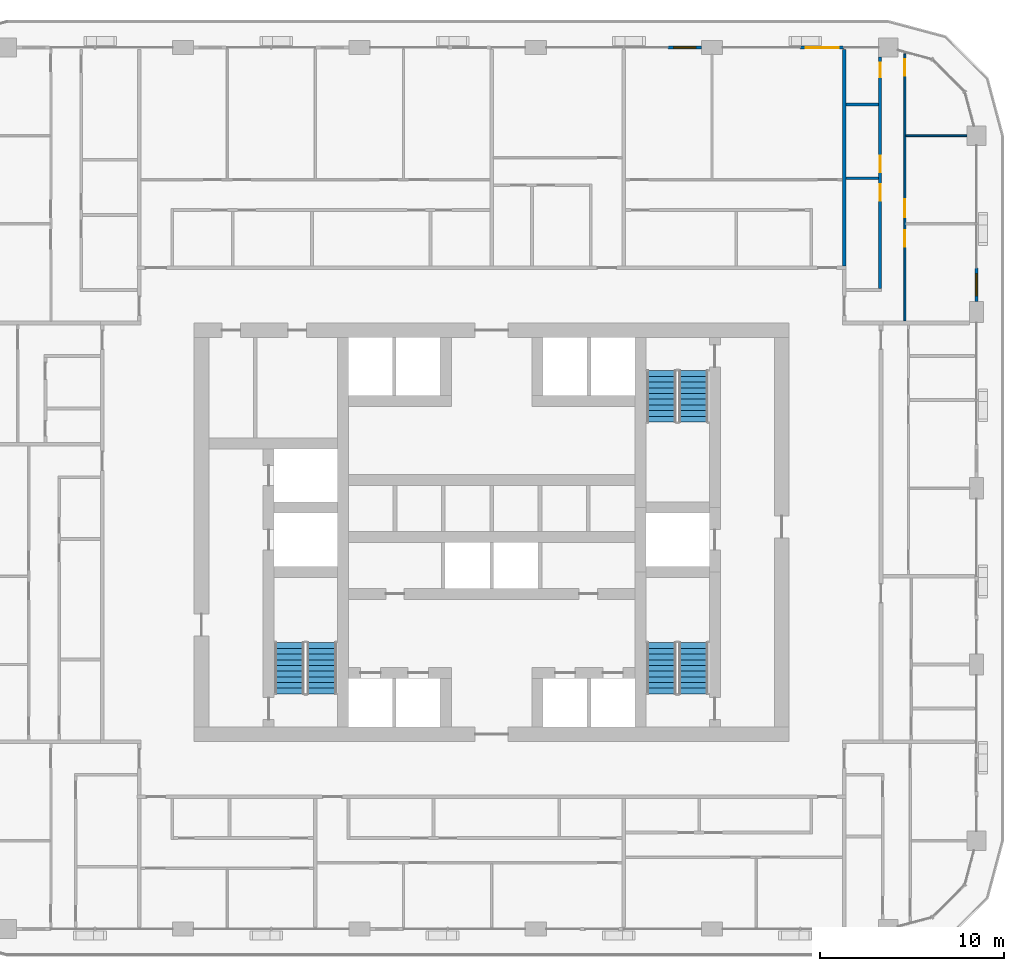
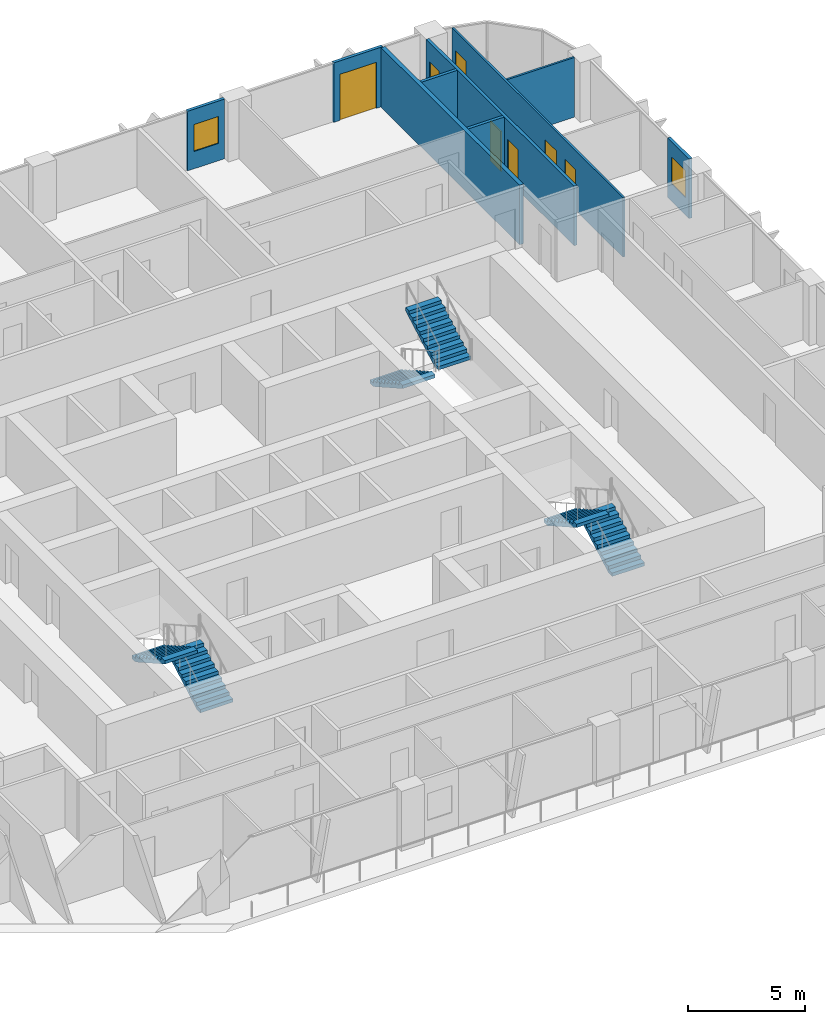
# One storey, part 15 of 22: 9 walls, 7 doors, 6 stair flights, 2 windows, 9 openings, 3 elements without a shape of their own.
"""IFC4 building model written with IfcOpenShell, lengths in metres."""

from ifc_helpers import new_model, si_unit, direction, frame, frame_2d, origin, place, context, subcontext, project, spatial, polyline, rectangle, outline, extrude, material, layer, layer_set, type_object, element, fill, aggregate, save


model = new_model("IFC4")

# Units and contexts
model_context = context("Model", 3, precision=1e-05, world=origin(), true_north=direction((0.0, 1.0)))
body_context = subcontext(model_context, "Body", "Model", "MODEL_VIEW")
ifc_project = project(units=[si_unit("LENGTHUNIT", "METRE"), si_unit("AREAUNIT", "SQUARE_METRE"), si_unit("VOLUMEUNIT", "CUBIC_METRE"), si_unit("PLANEANGLEUNIT", "RADIAN"), si_unit("MASSUNIT", "GRAM", prefix="KILO")], contexts=[model_context])

# Site, building, storey
site_placement = place(None, origin())
site = spatial("IfcSite", under=ifc_project, at=site_placement, CompositionType="ELEMENT")
building_placement = place(site_placement, origin())
building = spatial("IfcBuilding", under=site, at=building_placement, Name="Madar Terraces", CompositionType="ELEMENT")
storey_placement = place(building_placement, frame((0.0, 0.0, 140.10009765625)))
storey = spatial("IfcBuildingStorey", under=building, at=storey_placement, Name="L36", CompositionType="ELEMENT", Elevation=140.10009765625)

# Wall, opening, window
ifc_material_1 = material(Name="Aluminium composite panel, black, over insulated backing", Category="aluminium")
ifc_layer_1 = layer(ifc_material_1, 0.14990234375)
ifc_layer_set_1 = layer_set([ifc_layer_1], Name="Facade bay panel 150")
wall_type_1 = type_object("IfcWallType", Name="Facade bay panel 150", PredefinedType="SOLIDWALL", material=ifc_layer_set_1)
wall_1_placement = place(storey_placement, frame((57.60009765625, 38.97509765625, 0.0), z_axis=(0.0, 0.0, 1.0), x_axis=(0.0, 1.0, 0.0)))
wall_1 = element("IfcWall", 1, at=wall_1_placement, inside=storey, type_object=wall_type_1, Name="Facade bay panel", PredefinedType="SOLIDWALL", context=body_context, shape_type="SweptSolid", body=[
    extrude(rectangle(XDim=1.824951171875, YDim=0.14990234375, at=frame_2d((0.91259765625, 0.0))), origin(), (0.0, 0.0, 1.0), 3.099853515625),
])
opening_1_placement = place(wall_1_placement, frame((0.3125, 0.0, 0.89990234375)))
opening_1 = element("IfcOpeningElement", 2, at=opening_1_placement, cuts=wall_1, Name="Opening W1", PredefinedType="OPENING", context=body_context, shape_type="SweptSolid", body=[
    extrude(rectangle(XDim=1.199951171875, YDim=1.39990234375, at=frame_2d((0.60009765625, 0.699951171875))), frame((0.0, 0.0849609375, 0.0), z_axis=(0.0, -1.0, 0.0), x_axis=(1.0, 0.0, 0.0)), (0.0, 0.0, 1.0), 0.169921875),
])
ifc_material_2 = material(Name="Glass, clear, with black aluminium frame", Category="aluminium")
window_type = type_object("IfcWindowType", Name="Vent window 1200 x 1400", PartitioningType="SINGLE_PANEL", PredefinedType="WINDOW", material=ifc_material_2)
window_1_placement = place(opening_1_placement, origin())
window_1 = element("IfcWindow", 3, at=window_1_placement, inside=storey, type_object=window_type, Name="Operable vent window", OverallHeight=1.39990234375, OverallWidth=1.199951171875, PartitioningType="SINGLE_PANEL", PredefinedType="WINDOW", context=body_context, shape_type="SweptSolid", body=[
    extrude(rectangle(XDim=1.199951171875, YDim=1.39990234375, at=frame_2d((0.60009765625, 0.699951171875))), frame((0.0, 0.030029296875, 0.0), z_axis=(0.0, -1.0, 0.0), x_axis=(1.0, 0.0, 0.0)), (0.0, 0.0, 1.0), 0.06005859375),
])
fill(opening_1, window_1)

# Wall, opening, door
wall_2_placement = place(storey_placement, frame((50.39990234375, 52.800048828125, 0.0), z_axis=(0.0, 0.0, 1.0), x_axis=(-1.0, 0.0, 0.0)))
wall_2 = element("IfcWall", 4, at=wall_2_placement, inside=storey, type_object=wall_type_1, Name="Facade bay panel", PredefinedType="SOLIDWALL", context=body_context, shape_type="SweptSolid", body=[
    extrude(rectangle(XDim=2.39990234375, YDim=0.14990234375, at=frame_2d((1.199951171875, 0.0))), origin(), (0.0, 0.0, 1.0), 3.099853515625),
])
opening_2_placement = place(wall_2_placement, frame((0.300048828125, 0.0, 0.0)))
opening_2 = element("IfcOpeningElement", 5, at=opening_2_placement, cuts=wall_2, Name="Opening ED1", PredefinedType="OPENING", context=body_context, shape_type="SweptSolid", body=[
    extrude(rectangle(XDim=1.800048828125, YDim=2.39990234375, at=frame_2d((0.89990234375, 1.199951171875))), frame((0.0, 0.0849609375, 0.0), z_axis=(0.0, -1.0, 0.0), x_axis=(1.0, 0.0, 0.0)), (0.0, 0.0, 1.0), 0.169921875),
])
ifc_material_3 = material(Name="Glass, clear, with black aluminium frame", Category="aluminium")
door_type_1 = type_object("IfcDoorType", Name="Balcony and terrace sliding door 1800 x 2400", OperationType="SLIDING_TO_LEFT", PredefinedType="DOOR", material=ifc_material_3)
door_1_placement = place(opening_2_placement, origin())
door_1 = element("IfcDoor", 6, at=door_1_placement, inside=storey, type_object=door_type_1, Name="Balcony door", OperationType="SLIDING_TO_RIGHT", OverallHeight=2.39990234375, OverallWidth=1.800048828125, PredefinedType="DOOR", context=body_context, shape_type="SweptSolid", body=[
    extrude(rectangle(XDim=1.800048828125, YDim=2.39990234375, at=frame_2d((0.89990234375, 1.199951171875))), frame((0.0, 0.02490234375, 0.0), z_axis=(0.0, -1.0, 0.0), x_axis=(1.0, 0.0, 0.0)), (0.0, 0.0, 1.0), 0.050048828125),
])
fill(opening_2, door_1)

# Wall, opening, window
wall_3_placement = place(storey_placement, frame((42.625, 52.800048828125, 0.0), z_axis=(0.0, 0.0, 1.0), x_axis=(-1.0, 0.0, 0.0)))
wall_3 = element("IfcWall", 7, at=wall_3_placement, inside=storey, type_object=wall_type_1, Name="Facade bay panel", PredefinedType="SOLIDWALL", context=body_context, shape_type="SweptSolid", body=[
    extrude(rectangle(XDim=1.824951171875, YDim=0.14990234375, at=frame_2d((0.91259765625, 0.0))), origin(), (0.0, 0.0, 1.0), 3.099853515625),
])
opening_3_placement = place(wall_3_placement, frame((0.3125, 0.0, 0.89990234375)))
opening_3 = element("IfcOpeningElement", 8, at=opening_3_placement, cuts=wall_3, Name="Opening W1", PredefinedType="OPENING", context=body_context, shape_type="SweptSolid", body=[
    extrude(rectangle(XDim=1.199951171875, YDim=1.39990234375, at=frame_2d((0.60009765625, 0.699951171875))), frame((0.0, 0.0849609375, 0.0), z_axis=(0.0, -1.0, 0.0), x_axis=(1.0, 0.0, 0.0)), (0.0, 0.0, 1.0), 0.169921875),
])
window_2_placement = place(opening_3_placement, origin())
window_2 = element("IfcWindow", 9, at=window_2_placement, inside=storey, type_object=window_type, Name="Operable vent window", OverallHeight=1.39990234375, OverallWidth=1.199951171875, PartitioningType="SINGLE_PANEL", PredefinedType="WINDOW", context=body_context, shape_type="SweptSolid", body=[
    extrude(rectangle(XDim=1.199951171875, YDim=1.39990234375, at=frame_2d((0.60009765625, 0.699951171875))), frame((0.0, 0.030029296875, 0.0), z_axis=(0.0, -1.0, 0.0), x_axis=(1.0, 0.0, 0.0)), (0.0, 0.0, 1.0), 0.06005859375),
])
fill(opening_3, window_2)

# Wall
ifc_material_4 = material(Name="Gypsum board on steel studs", Category="steel")
ifc_layer_2 = layer(ifc_material_4, 0.10009765625)
ifc_layer_set_2 = layer_set([ifc_layer_2], Name="Flat partition 100")
wall_type_2 = type_object("IfcWallType", Name="Flat partition 100", PredefinedType="PARTITIONING", material=ifc_layer_set_2)
wall_4_placement = place(storey_placement, frame((53.75, 48.0, 0.0), z_axis=(0.0, 0.0, 1.0), x_axis=(1.0, 0.0, 0.0)))
element("IfcWall", 10, at=wall_4_placement, inside=storey, type_object=wall_type_2, Name="Flat partition 100", PredefinedType="PARTITIONING", context=body_context, shape_type="SweptSolid", body=[
    extrude(rectangle(XDim=3.324951171875, YDim=0.10009765625, at=frame_2d((1.66259765625, 0.0))), origin(), (0.0, 0.0, 1.0), 3.099853515625),
])

# Wall, openings, doors
wall_5_placement = place(storey_placement, frame((53.699951171875, 52.458740234375, 0.0), z_axis=(0.0, 0.0, 1.0), x_axis=(0.0, -1.0, 0.0)))
wall_5 = element("IfcWall", 11, at=wall_5_placement, inside=storey, type_object=wall_type_2, Name="Flat partition 100", PredefinedType="PARTITIONING", context=body_context, shape_type="SweptSolid", body=[
    extrude(rectangle(XDim=14.558837890625, YDim=0.10009765625, at=frame_2d((7.279296875, 0.0))), origin(), (0.0, 0.0, 1.0), 3.099853515625),
])
opening_4_placement = place(wall_5_placement, frame((9.60888671875, 0.0, 0.0)))
opening_4 = element("IfcOpeningElement", 12, at=opening_4_placement, cuts=wall_5, Name="Opening D2", PredefinedType="OPENING", context=body_context, shape_type="SweptSolid", body=[
    extrude(rectangle(XDim=0.89990234375, YDim=2.10009765625, at=frame_2d((0.449951171875, 1.050048828125))), frame((0.0, 0.06005859375, 0.0), z_axis=(0.0, -1.0, 0.0), x_axis=(1.0, 0.0, 0.0)), (0.0, 0.0, 1.0), 0.1201171875),
])
opening_5_placement = place(wall_5_placement, frame((7.90869140625, 0.0, 0.0)))
opening_5 = element("IfcOpeningElement", 13, at=opening_5_placement, cuts=wall_5, Name="Opening D3", PredefinedType="OPENING", context=body_context, shape_type="SweptSolid", body=[
    extrude(rectangle(XDim=1.0, YDim=2.10009765625, at=frame_2d((0.5, 1.050048828125))), frame((0.0, 0.06005859375, 0.0), z_axis=(0.0, -1.0, 0.0), x_axis=(1.0, 0.0, 0.0)), (0.0, 0.0, 1.0), 0.1201171875),
])
opening_6_placement = place(wall_5_placement, frame((0.300048828125, 0.0, 0.0)))
opening_6 = element("IfcOpeningElement", 14, at=opening_6_placement, cuts=wall_5, Name="Opening D2", PredefinedType="OPENING", context=body_context, shape_type="SweptSolid", body=[
    extrude(rectangle(XDim=0.89990234375, YDim=2.10009765625, at=frame_2d((0.449951171875, 1.050048828125))), frame((0.0, 0.06005859375, 0.0), z_axis=(0.0, -1.0, 0.0), x_axis=(1.0, 0.0, 0.0)), (0.0, 0.0, 1.0), 0.1201171875),
])
ifc_material_5 = material(Name="Timber door leaf", Category="wood")
door_type_2 = type_object("IfcDoorType", Name="Flat living room door 1000", OperationType="NOTDEFINED", PredefinedType="DOOR", material=ifc_material_5)
door_2_placement = place(opening_5_placement, origin())
door_2 = element("IfcDoor", 15, at=door_2_placement, inside=storey, type_object=door_type_2, Name="Flat living room door 1000", OperationType="SINGLE_SWING_RIGHT", OverallHeight=2.10009765625, OverallWidth=1.0, PredefinedType="DOOR", context=body_context, shape_type="SweptSolid", body=[
    extrude(rectangle(XDim=1.0, YDim=2.10009765625, at=frame_2d((0.5, 1.050048828125))), frame((0.0, 0.02490234375, 0.0), z_axis=(0.0, -1.0, 0.0), x_axis=(1.0, 0.0, 0.0)), (0.0, 0.0, 1.0), 0.050048828125),
])
fill(opening_5, door_2)
ifc_material_6 = material(Name="Timber door leaf", Category="wood")
door_type_3 = type_object("IfcDoorType", Name="Flat room door 900", OperationType="NOTDEFINED", PredefinedType="DOOR", material=ifc_material_6)
door_3_placement = place(opening_4_placement, origin())
door_3 = element("IfcDoor", 16, at=door_3_placement, inside=storey, type_object=door_type_3, Name="Flat room door 900", OperationType="SINGLE_SWING_LEFT", OverallHeight=2.10009765625, OverallWidth=0.89990234375, PredefinedType="DOOR", context=body_context, shape_type="SweptSolid", body=[
    extrude(rectangle(XDim=0.89990234375, YDim=2.10009765625, at=frame_2d((0.449951171875, 1.050048828125))), frame((0.0, 0.02490234375, 0.0), z_axis=(0.0, -1.0, 0.0), x_axis=(1.0, 0.0, 0.0)), (0.0, 0.0, 1.0), 0.050048828125),
])
fill(opening_4, door_3)
door_4_placement = place(opening_6_placement, origin())
door_4 = element("IfcDoor", 17, at=door_4_placement, inside=storey, type_object=door_type_3, Name="Flat room door 900", OperationType="SINGLE_SWING_LEFT", OverallHeight=2.10009765625, OverallWidth=0.89990234375, PredefinedType="DOOR", context=body_context, shape_type="SweptSolid", body=[
    extrude(rectangle(XDim=0.89990234375, YDim=2.10009765625, at=frame_2d((0.449951171875, 1.050048828125))), frame((0.0, 0.02490234375, 0.0), z_axis=(0.0, -1.0, 0.0), x_axis=(1.0, 0.0, 0.0)), (0.0, 0.0, 1.0), 0.050048828125),
])
fill(opening_6, door_4)

# Walls
ifc_material_7 = material(Name="Lightweight blockwork", Category="masonry")
ifc_layer_3 = layer(ifc_material_7, 0.199951171875)
ifc_layer_set_3 = layer_set([ifc_layer_3], Name="Flat party and entrance wall 200")
wall_type_3 = type_object("IfcWallType", Name="Flat party and entrance wall 200", PredefinedType="PARTITIONING", material=ifc_layer_set_3)
wall_6_placement = place(storey_placement, frame((50.39990234375, 40.89990234375, 0.0), z_axis=(0.0, 0.0, 1.0), x_axis=(0.0, 1.0, 0.0)))
element("IfcWall", 18, at=wall_6_placement, inside=storey, type_object=wall_type_3, Name="Flat party and entrance wall 200", PredefinedType="PARTITIONING", context=body_context, shape_type="SweptSolid", body=[
    extrude(rectangle(XDim=11.800048828125, YDim=0.199951171875, at=frame_2d((5.89990234375, 0.0))), origin(), (0.0, 0.0, 1.0), 3.099853515625),
])
ifc_material_8 = material(Name="Lightweight blockwork", Category="masonry")
ifc_layer_4 = layer(ifc_material_8, 0.14990234375)
ifc_layer_set_4 = layer_set([ifc_layer_4], Name="Flat wet-room partition 150")
wall_type_4 = type_object("IfcWallType", Name="Flat wet-room partition 150", PredefinedType="PARTITIONING", material=ifc_layer_set_4)
for number, where, z_axis, x_axis, name in (
    (19, (50.5, 45.6865234375, 0.0), (0.0, 0.0, 1.0), (1.0, 0.0, 0.0), "Flat wet-room partition 150"),
    (20, (50.5, 49.694091796875, 0.0), (0.0, 0.0, 1.0), (1.0, 0.0, 0.0), "Flat wet-room partition 150"),
):
    element("IfcWall", number, at=place(storey_placement, frame(where, z_axis=z_axis, x_axis=x_axis)), inside=storey, type_object=wall_type_4, Name=name, PredefinedType="PARTITIONING", context=body_context, shape_type="SweptSolid", body=[
        extrude(rectangle(XDim=1.77490234375, YDim=0.14990234375, at=frame_2d((0.887451171875, 0.0))), origin(), (0.0, 0.0, 1.0), 3.099853515625),
    ])

# Wall, openings, doors
wall_7_placement = place(storey_placement, frame((52.35009765625, 39.675048828125, 0.0), z_axis=(0.0, 0.0, 1.0), x_axis=(0.0, 1.0, 0.0)))
wall_7 = element("IfcWall", 21, at=wall_7_placement, inside=storey, type_object=wall_type_4, Name="Flat wet-room partition 150", PredefinedType="PARTITIONING", context=body_context, shape_type="SweptSolid", body=[
    extrude(rectangle(XDim=12.599853515625, YDim=0.14990234375, at=frame_2d((6.2998046875, 0.0))), origin(), (0.0, 0.0, 1.0), 3.099853515625),
])
opening_7_placement = place(wall_7_placement, frame((4.78662109375, 0.0, 0.0)))
opening_7 = element("IfcOpeningElement", 22, at=opening_7_placement, cuts=wall_7, Name="Opening D2", PredefinedType="OPENING", context=body_context, shape_type="SweptSolid", body=[
    extrude(rectangle(XDim=0.89990234375, YDim=2.10009765625, at=frame_2d((0.449951171875, 1.050048828125))), frame((0.0, 0.0849609375, 0.0), z_axis=(0.0, -1.0, 0.0), x_axis=(1.0, 0.0, 0.0)), (0.0, 0.0, 1.0), 0.169921875),
])
opening_8_placement = place(wall_7_placement, frame((6.33642578125, 0.0, 0.0)))
opening_8 = element("IfcOpeningElement", 23, at=opening_8_placement, cuts=wall_7, Name="Opening D5", PredefinedType="OPENING", context=body_context, shape_type="SweptSolid", body=[
    extrude(rectangle(XDim=0.89990234375, YDim=2.10009765625, at=frame_2d((0.449951171875, 1.050048828125))), frame((0.0, 0.0849609375, 0.0), z_axis=(0.0, -1.0, 0.0), x_axis=(1.0, 0.0, 0.0)), (0.0, 0.0, 1.0), 0.169921875),
])
opening_9_placement = place(wall_7_placement, frame((11.5, 0.0, 0.0)))
opening_9 = element("IfcOpeningElement", 24, at=opening_9_placement, cuts=wall_7, Name="Opening D4", PredefinedType="OPENING", context=body_context, shape_type="SweptSolid", body=[
    extrude(rectangle(XDim=0.800048828125, YDim=2.10009765625, at=frame_2d((0.39990234375, 1.050048828125))), frame((0.0, 0.0849609375, 0.0), z_axis=(0.0, -1.0, 0.0), x_axis=(1.0, 0.0, 0.0)), (0.0, 0.0, 1.0), 0.169921875),
])
ifc_material_9 = material(Name="Timber door leaf", Category="wood")
door_type_4 = type_object("IfcDoorType", Name="Flat accessible bathroom door 900", OperationType="NOTDEFINED", PredefinedType="DOOR", material=ifc_material_9)
door_5_placement = place(opening_8_placement, origin())
door_5 = element("IfcDoor", 25, at=door_5_placement, inside=storey, type_object=door_type_4, Name="Flat accessible bathroom door 900", OperationType="SINGLE_SWING_LEFT", OverallHeight=2.10009765625, OverallWidth=0.89990234375, PredefinedType="DOOR", context=body_context, shape_type="SweptSolid", body=[
    extrude(rectangle(XDim=0.89990234375, YDim=2.10009765625, at=frame_2d((0.449951171875, 1.050048828125))), frame((0.0, 0.02490234375, 0.0), z_axis=(0.0, -1.0, 0.0), x_axis=(1.0, 0.0, 0.0)), (0.0, 0.0, 1.0), 0.050048828125),
])
fill(opening_8, door_5)
ifc_material_10 = material(Name="Timber door leaf", Category="wood")
door_type_5 = type_object("IfcDoorType", Name="Flat bathroom door 800", OperationType="NOTDEFINED", PredefinedType="DOOR", material=ifc_material_10)
door_6_placement = place(opening_9_placement, origin())
door_6 = element("IfcDoor", 26, at=door_6_placement, inside=storey, type_object=door_type_5, Name="Flat bathroom door 800", OperationType="SINGLE_SWING_RIGHT", OverallHeight=2.10009765625, OverallWidth=0.800048828125, PredefinedType="DOOR", context=body_context, shape_type="SweptSolid", body=[
    extrude(rectangle(XDim=0.800048828125, YDim=2.10009765625, at=frame_2d((0.39990234375, 1.050048828125))), frame((0.0, 0.02490234375, 0.0), z_axis=(0.0, -1.0, 0.0), x_axis=(1.0, 0.0, 0.0)), (0.0, 0.0, 1.0), 0.050048828125),
])
fill(opening_9, door_6)
door_7_placement = place(opening_7_placement, origin())
door_7 = element("IfcDoor", 27, at=door_7_placement, inside=storey, type_object=door_type_3, Name="Flat room door 900", OperationType="SINGLE_SWING_RIGHT", OverallHeight=2.10009765625, OverallWidth=0.89990234375, PredefinedType="DOOR", context=body_context, shape_type="SweptSolid", body=[
    extrude(rectangle(XDim=0.89990234375, YDim=2.10009765625, at=frame_2d((0.449951171875, 1.050048828125))), frame((0.0, 0.02490234375, 0.0), z_axis=(0.0, -1.0, 0.0), x_axis=(1.0, 0.0, 0.0)), (0.0, 0.0, 1.0), 0.050048828125),
])
fill(opening_7, door_7)

# Stair, stair flights
ifc_material_11 = material(Name="Concrete C50/60", Category="concrete")
stair_type_1 = type_object("IfcStairType", Name="Stair ST1 protected exit", PredefinedType="HALF_TURN_STAIR", material=ifc_material_11)
stair_1_placement = place(storey_placement, origin())
stair_1 = element("IfcStair", 28, at=stair_1_placement, inside=storey, type_object=stair_type_1, Name="L36 Protected Exit Stair ST1", PredefinedType="HALF_TURN_STAIR")
ifc_material_12 = material(Name="Concrete C50/60", Category="concrete")
stair_flight_type_1 = type_object("IfcStairFlightType", Name="Stair flight ST1-F4, 1600 wide, 10 risers", PredefinedType="STRAIGHT", material=ifc_material_12)
stair_flight_1_placement = place(storey_placement, frame((21.949951171875, 17.60009765625, 0.0), z_axis=(0.0, 0.0, 1.0), x_axis=(0.0, 1.0, 0.0)))
stair_flight_1 = element("IfcStairFlight", 29, at=stair_flight_1_placement, type_object=stair_flight_type_1, Name="ST1 flight 1", NumberOfRisers=10, NumberOfTreads=9, PredefinedType="STRAIGHT", RiserHeight=0.175, TreadLength=0.31, context=body_context, shape_type="SweptSolid", body=[
    extrude(outline(polyline([(0.0, 0.0), (0.0, 0.175048828125), (0.31005859375, 0.175048828125), (0.31005859375, 0.35009765625), (0.6201171875, 0.35009765625), (0.6201171875, 0.52490234375), (0.929931640625, 0.52490234375), (0.929931640625, 0.699951171875), (1.239990234375, 0.699951171875), (1.239990234375, 0.875), (1.550048828125, 0.875), (1.550048828125, 1.050048828125), (1.860107421875, 1.050048828125), (1.860107421875, 1.22509765625), (2.169921875, 1.22509765625), (2.169921875, 1.39990234375), (2.47998046875, 1.39990234375), (2.47998046875, 1.574951171875), (2.7900390625, 1.574951171875), (2.7900390625, 1.75), (2.7900390625, 1.40283203125), (0.304931640625, 0.0), (0.0, 0.0)])), frame((0.0, 0.800048828125, 0.0), z_axis=(0.0, -1.0, 0.0), x_axis=(1.0, 0.0, 0.0)), (0.0, 0.0, 1.0), 1.60009765625),
])
stair_flight_2_placement = place(storey_placement, frame((20.199951171875, 20.389892578125, 1.75), z_axis=(0.0, 0.0, 1.0), x_axis=(0.0, -1.0, 0.0)))
stair_flight_2 = element("IfcStairFlight", 30, at=stair_flight_2_placement, type_object=stair_flight_type_1, Name="ST1 flight 2", NumberOfRisers=10, NumberOfTreads=9, PredefinedType="STRAIGHT", RiserHeight=0.175, TreadLength=0.31, context=body_context, shape_type="SweptSolid", body=[
    extrude(outline(polyline([(0.0, 0.0), (0.0, 0.175048828125), (0.31005859375, 0.175048828125), (0.31005859375, 0.35009765625), (0.6201171875, 0.35009765625), (0.6201171875, 0.52490234375), (0.929931640625, 0.52490234375), (0.929931640625, 0.699951171875), (1.239990234375, 0.699951171875), (1.239990234375, 0.875), (1.550048828125, 0.875), (1.550048828125, 1.050048828125), (1.860107421875, 1.050048828125), (1.860107421875, 1.22509765625), (2.169921875, 1.22509765625), (2.169921875, 1.39990234375), (2.47998046875, 1.39990234375), (2.47998046875, 1.574951171875), (2.7900390625, 1.574951171875), (2.7900390625, 1.75), (2.7900390625, 1.40283203125), (0.304931640625, 0.0), (0.0, 0.0)])), frame((0.0, 0.800048828125, 0.0), z_axis=(0.0, -1.0, 0.0), x_axis=(1.0, 0.0, 0.0)), (0.0, 0.0, 1.0), 1.60009765625),
])
aggregate(stair_1, [stair_flight_1, stair_flight_2])

ifc_material_13 = material(Name="Concrete C50/60", Category="concrete")
stair_type_2 = type_object("IfcStairType", Name="Stair ST2 protected exit", PredefinedType="HALF_TURN_STAIR", material=ifc_material_13)
stair_2_placement = place(storey_placement, origin())
stair_2 = element("IfcStair", 31, at=stair_2_placement, inside=storey, type_object=stair_type_2, Name="L36 Protected Exit Stair ST2", PredefinedType="HALF_TURN_STAIR")
ifc_material_14 = material(Name="Concrete C50/60", Category="concrete")
stair_flight_type_2 = type_object("IfcStairFlightType", Name="Stair flight ST2-F4, 1600 wide, 10 risers", PredefinedType="STRAIGHT", material=ifc_material_14)
stair_flight_3_placement = place(storey_placement, frame((40.449951171875, 35.199951171875, 0.0), z_axis=(0.0, 0.0, 1.0), x_axis=(0.0, -1.0, 0.0)))
stair_flight_3 = element("IfcStairFlight", 32, at=stair_flight_3_placement, type_object=stair_flight_type_2, Name="ST2 flight 1", NumberOfRisers=10, NumberOfTreads=9, PredefinedType="STRAIGHT", RiserHeight=0.175, TreadLength=0.31, context=body_context, shape_type="SweptSolid", body=[
    extrude(outline(polyline([(0.0, 0.0), (0.0, 0.175048828125), (0.31005859375, 0.175048828125), (0.31005859375, 0.35009765625), (0.6201171875, 0.35009765625), (0.6201171875, 0.52490234375), (0.929931640625, 0.52490234375), (0.929931640625, 0.699951171875), (1.239990234375, 0.699951171875), (1.239990234375, 0.875), (1.550048828125, 0.875), (1.550048828125, 1.050048828125), (1.860107421875, 1.050048828125), (1.860107421875, 1.22509765625), (2.169921875, 1.22509765625), (2.169921875, 1.39990234375), (2.47998046875, 1.39990234375), (2.47998046875, 1.574951171875), (2.7900390625, 1.574951171875), (2.7900390625, 1.75), (2.7900390625, 1.40283203125), (0.304931640625, 0.0), (0.0, 0.0)])), frame((0.0, 0.800048828125, 0.0), z_axis=(0.0, -1.0, 0.0), x_axis=(1.0, 0.0, 0.0)), (0.0, 0.0, 1.0), 1.60009765625),
])
stair_flight_4_placement = place(storey_placement, frame((42.199951171875, 32.409912109375, 1.75), z_axis=(0.0, 0.0, 1.0), x_axis=(0.0, 1.0, 0.0)))
stair_flight_4 = element("IfcStairFlight", 33, at=stair_flight_4_placement, type_object=stair_flight_type_2, Name="ST2 flight 2", NumberOfRisers=10, NumberOfTreads=9, PredefinedType="STRAIGHT", RiserHeight=0.175, TreadLength=0.31, context=body_context, shape_type="SweptSolid", body=[
    extrude(outline(polyline([(0.0, 0.0), (0.0, 0.175048828125), (0.31005859375, 0.175048828125), (0.31005859375, 0.35009765625), (0.6201171875, 0.35009765625), (0.6201171875, 0.52490234375), (0.929931640625, 0.52490234375), (0.929931640625, 0.699951171875), (1.239990234375, 0.699951171875), (1.239990234375, 0.875), (1.550048828125, 0.875), (1.550048828125, 1.050048828125), (1.860107421875, 1.050048828125), (1.860107421875, 1.22509765625), (2.169921875, 1.22509765625), (2.169921875, 1.39990234375), (2.47998046875, 1.39990234375), (2.47998046875, 1.574951171875), (2.7900390625, 1.574951171875), (2.7900390625, 1.75), (2.7900390625, 1.40283203125), (0.304931640625, 0.0), (0.0, 0.0)])), frame((0.0, 0.800048828125, 0.0), z_axis=(0.0, -1.0, 0.0), x_axis=(1.0, 0.0, 0.0)), (0.0, 0.0, 1.0), 1.60009765625),
])
aggregate(stair_2, [stair_flight_3, stair_flight_4])

ifc_material_15 = material(Name="Concrete C50/60", Category="concrete")
stair_type_3 = type_object("IfcStairType", Name="Stair ST3 protected exit", PredefinedType="HALF_TURN_STAIR", material=ifc_material_15)
stair_3_placement = place(storey_placement, origin())
stair_3 = element("IfcStair", 34, at=stair_3_placement, inside=storey, type_object=stair_type_3, Name="L36 Protected Exit Stair ST3", PredefinedType="HALF_TURN_STAIR")
ifc_material_16 = material(Name="Concrete C50/60", Category="concrete")
stair_flight_type_3 = type_object("IfcStairFlightType", Name="Stair flight ST3-F4, 1600 wide, 10 risers", PredefinedType="STRAIGHT", material=ifc_material_16)
stair_flight_5_placement = place(storey_placement, frame((42.199951171875, 17.60009765625, 0.0), z_axis=(0.0, 0.0, 1.0), x_axis=(0.0, 1.0, 0.0)))
stair_flight_5 = element("IfcStairFlight", 35, at=stair_flight_5_placement, type_object=stair_flight_type_3, Name="ST3 flight 1", NumberOfRisers=10, NumberOfTreads=9, PredefinedType="STRAIGHT", RiserHeight=0.175, TreadLength=0.31, context=body_context, shape_type="SweptSolid", body=[
    extrude(outline(polyline([(0.0, 0.0), (0.0, 0.175048828125), (0.31005859375, 0.175048828125), (0.31005859375, 0.35009765625), (0.6201171875, 0.35009765625), (0.6201171875, 0.52490234375), (0.929931640625, 0.52490234375), (0.929931640625, 0.699951171875), (1.239990234375, 0.699951171875), (1.239990234375, 0.875), (1.550048828125, 0.875), (1.550048828125, 1.050048828125), (1.860107421875, 1.050048828125), (1.860107421875, 1.22509765625), (2.169921875, 1.22509765625), (2.169921875, 1.39990234375), (2.47998046875, 1.39990234375), (2.47998046875, 1.574951171875), (2.7900390625, 1.574951171875), (2.7900390625, 1.75), (2.7900390625, 1.40283203125), (0.304931640625, 0.0), (0.0, 0.0)])), frame((0.0, 0.800048828125, 0.0), z_axis=(0.0, -1.0, 0.0), x_axis=(1.0, 0.0, 0.0)), (0.0, 0.0, 1.0), 1.60009765625),
])
stair_flight_6_placement = place(storey_placement, frame((40.449951171875, 20.389892578125, 1.75), z_axis=(0.0, 0.0, 1.0), x_axis=(0.0, -1.0, 0.0)))
stair_flight_6 = element("IfcStairFlight", 36, at=stair_flight_6_placement, type_object=stair_flight_type_3, Name="ST3 flight 2", NumberOfRisers=10, NumberOfTreads=9, PredefinedType="STRAIGHT", RiserHeight=0.175, TreadLength=0.31, context=body_context, shape_type="SweptSolid", body=[
    extrude(outline(polyline([(0.0, 0.0), (0.0, 0.175048828125), (0.31005859375, 0.175048828125), (0.31005859375, 0.35009765625), (0.6201171875, 0.35009765625), (0.6201171875, 0.52490234375), (0.929931640625, 0.52490234375), (0.929931640625, 0.699951171875), (1.239990234375, 0.699951171875), (1.239990234375, 0.875), (1.550048828125, 0.875), (1.550048828125, 1.050048828125), (1.860107421875, 1.050048828125), (1.860107421875, 1.22509765625), (2.169921875, 1.22509765625), (2.169921875, 1.39990234375), (2.47998046875, 1.39990234375), (2.47998046875, 1.574951171875), (2.7900390625, 1.574951171875), (2.7900390625, 1.75), (2.7900390625, 1.40283203125), (0.304931640625, 0.0), (0.0, 0.0)])), frame((0.0, 0.800048828125, 0.0), z_axis=(0.0, -1.0, 0.0), x_axis=(1.0, 0.0, 0.0)), (0.0, 0.0, 1.0), 1.60009765625),
])
aggregate(stair_3, [stair_flight_5, stair_flight_6])

save(model, "model.ifc")
